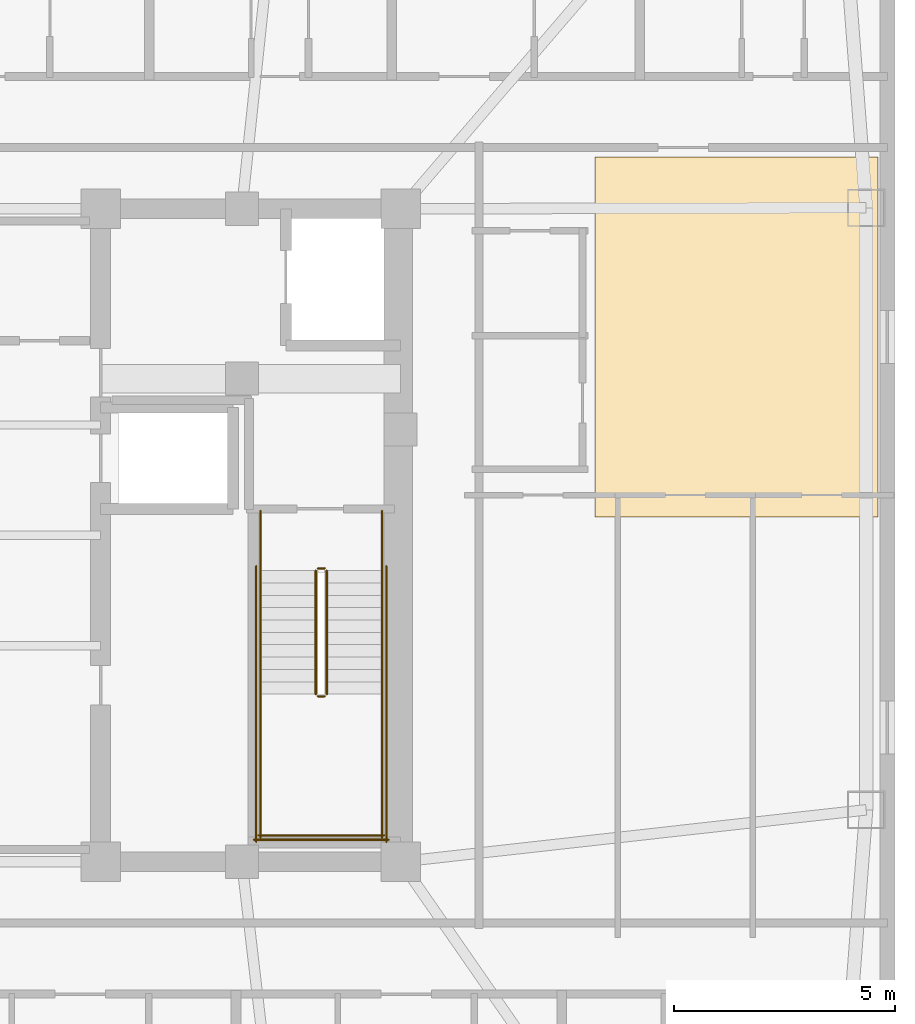
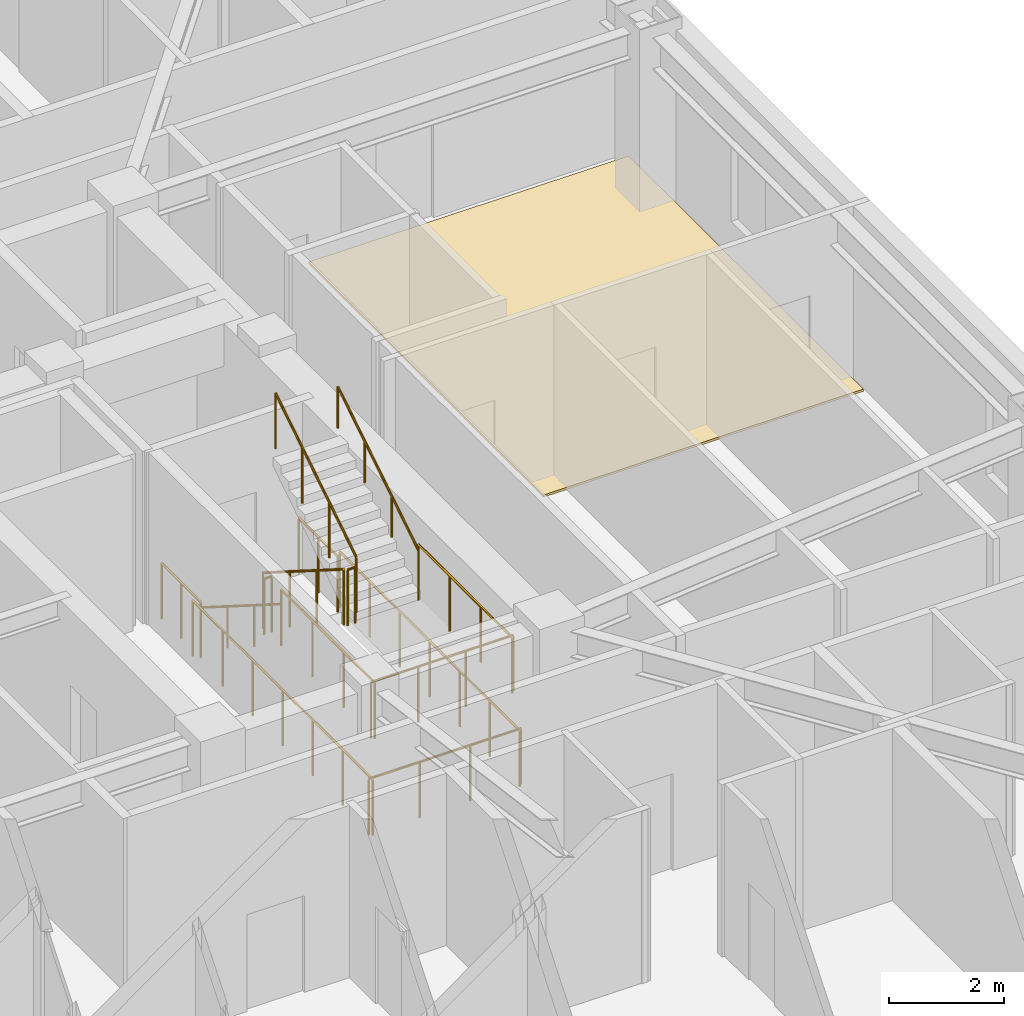
# One storey, part 16 of 16: 14 railings, 1 covering.
"""IFC4 building model written with IfcOpenShell, lengths in metres."""

import ifcopenshell
import ifcopenshell.guid

model = None  # the IFC model being written
_history = None  # IfcOwnerHistory: only IFC2X3 demands one
_inside = {}  # id of a spatial element -> (the spatial element, [elements in it])
_under = {}  # id of a project, library or spatial element -> (it, [spatial elements below it])
_declared = {}  # id of a project -> (the project, [libraries it declares])
_typed = {}  # id of a type object -> (the type object, [elements of that type])
_made_of = {}  # id of a material, layer set ... -> (it, [elements and type objects made of it])


def new_model(schema):
    """Start an empty IFC model of exactly this schema.

    Asked for "IFC4X3", IfcOpenShell would pick the latest addendum, in which some entities
    have other attributes; the version numbers below select the first issue.
    IFC2X3 requires an IfcOwnerHistory on every rooted entity: one is made here for all.
    """
    global model, _history
    if schema == "IFC4X3":
        model = ifcopenshell.file(schema_version=(4, 3, 0, 0))
    else:
        model = ifcopenshell.file(schema=schema)
    _inside.clear()
    _under.clear()
    _declared.clear()
    _typed.clear()
    _made_of.clear()
    _history = None
    if model.schema == "IFC2X3":
        org = make("IfcOrganization", Name="unknown")
        user = make(
            "IfcPersonAndOrganization",
            ThePerson=make("IfcPerson", FamilyName="unknown"),
            TheOrganization=org,
        )
        app = make(
            "IfcApplication",
            ApplicationDeveloper=org,
            Version="unknown",
            ApplicationFullName="unknown",
            ApplicationIdentifier="unknown",
        )
        _history = make(
            "IfcOwnerHistory",
            OwningUser=user,
            OwningApplication=app,
            ChangeAction="ADDED",
            CreationDate=0,
        )
    return model


def make(cls, **values):
    """One entity of the class cls with the attributes given. An attribute that is None is left unset."""
    return model.create_entity(
        cls, **{name: value for name, value in values.items() if value is not None}
    )


def rooted(cls, **values):
    """An entity with a GlobalId (a new one), such as an element, a storey or a relation."""
    return make(cls, GlobalId=ifcopenshell.guid.new(), OwnerHistory=_history, **values)


def si_unit(unit_type, name, prefix=None):
    """IfcSIUnit, for example si_unit("LENGTHUNIT", "METRE", prefix="MILLI")."""
    return make("IfcSIUnit", UnitType=unit_type, Prefix=prefix, Name=name)


def assignment(units):
    """IfcUnitAssignment: the units of a project."""
    return None if units is None else make("IfcUnitAssignment", Units=units)


def point(xyz):
    """IfcCartesianPoint."""
    return None if xyz is None else make("IfcCartesianPoint", Coordinates=xyz)


def direction(xyz):
    """IfcDirection."""
    return None if xyz is None else make("IfcDirection", DirectionRatios=xyz)


def frame(location, z_axis=None, x_axis=None):
    """IfcAxis2Placement3D, a coordinate frame: its origin and axes. An axis left out is left unset."""
    return make(
        "IfcAxis2Placement3D",
        Location=point(location),
        Axis=direction(z_axis),
        RefDirection=direction(x_axis),
    )


def frame_2d(location, x_axis=None):
    """IfcAxis2Placement2D, a coordinate frame in the plane: its origin and x axis."""
    return make(
        "IfcAxis2Placement2D", Location=point(location), RefDirection=direction(x_axis)
    )


def origin():
    """The frame at (0, 0, 0) with its axes left unset."""
    return frame((0.0, 0.0, 0.0))


def origin_2d():
    """The frame at (0, 0) in the plane with its x axis left unset."""
    return frame_2d((0.0, 0.0))


def place(relative_to, where):
    """IfcLocalPlacement: puts the frame where relative to a parent placement (None: the world)."""
    return make(
        "IfcLocalPlacement", PlacementRelTo=relative_to, RelativePlacement=where
    )


def context(
    kind, dimensions, precision=None, world=None, true_north=None, identifier=None
):
    """IfcGeometricRepresentationContext, for example the 3D "Model" context."""
    return make(
        "IfcGeometricRepresentationContext",
        ContextIdentifier=identifier,
        ContextType=kind,
        CoordinateSpaceDimension=dimensions,
        Precision=precision,
        WorldCoordinateSystem=world,
        TrueNorth=true_north,
    )


def subcontext(parent, identifier, kind, view, scale=None):
    """IfcGeometricRepresentationSubContext, for example "Body" below "Model"."""
    return make(
        "IfcGeometricRepresentationSubContext",
        ContextIdentifier=identifier,
        ContextType=kind,
        ParentContext=parent,
        TargetScale=scale,
        TargetView=view,
    )


def project(units=None, contexts=None):
    """IfcProject with its units and contexts."""
    return rooted(
        "IfcProject",
        Name="project",
        RepresentationContexts=contexts,
        UnitsInContext=assignment(units),
    )


def spatial(cls, under=None, at=None, **own):
    """A site, building, storey or space (cls), placed at a placement, below another one or the project."""
    s = rooted(cls, ObjectPlacement=at, **own)
    if under is not None:
        _under.setdefault(under.id(), (under, []))[1].append(s)
    return s


def polyline(points):
    """IfcPolyline through the points."""
    return make("IfcPolyline", Points=[point(p) for p in points])


def profile(cls, at=None, kind="AREA", **sizes):
    """A parametric profile (cls). Its sizes go by their IFC names, for example OverallWidth=200.0."""
    return make(cls, ProfileType=kind, Position=at, **sizes)


def circle(**sizes):
    """IfcCircleProfileDef."""
    return profile("IfcCircleProfileDef", **sizes)


def outline(outer, holes=None, kind="AREA"):
    """IfcArbitraryClosedProfileDef: a profile drawn as a closed curve; with holes, ...WithVoids."""
    if holes is None:
        return make("IfcArbitraryClosedProfileDef", ProfileType=kind, OuterCurve=outer)
    return make(
        "IfcArbitraryProfileDefWithVoids",
        ProfileType=kind,
        OuterCurve=outer,
        InnerCurves=holes,
    )


def extrude(swept, where, along, depth):
    """IfcExtrudedAreaSolid: the profile swept, set in the frame where, extruded along a direction by depth."""
    return make(
        "IfcExtrudedAreaSolid",
        SweptArea=swept,
        Position=where,
        ExtrudedDirection=direction(along),
        Depth=depth,
    )


def shape(context_of_items, identifier, shape_type, items):
    """IfcShapeRepresentation: the items that make up one representation, for example the "Body"."""
    return make(
        "IfcShapeRepresentation",
        ContextOfItems=context_of_items,
        RepresentationIdentifier=identifier,
        RepresentationType=shape_type,
        Items=items,
    )


def material(Name=None, Category=None):
    """IfcMaterial."""
    return make("IfcMaterial", Name=Name, Category=Category)


def layer(
    of_material, thickness, ventilated=None, Name=None, Category=None, Priority=None
):
    """IfcMaterialLayer: one layer of a wall or slab, of a material (None: an air gap)."""
    return make(
        "IfcMaterialLayer",
        Material=of_material,
        LayerThickness=thickness,
        IsVentilated=ventilated,
        Name=Name,
        Category=Category,
        Priority=Priority,
    )


def layer_set(layers, Name=None):
    """IfcMaterialLayerSet."""
    return make("IfcMaterialLayerSet", MaterialLayers=layers, LayerSetName=Name)


def made_of(thing, what):
    """Note that an element or type object is made of a material, layer set ...; save() writes the relation."""
    if what is not None:
        _made_of.setdefault(what.id(), (what, []))[1].append(thing)
    return thing


def type_object(cls, material=None, **own):
    """A type object (cls), such as IfcWallType, which elements share."""
    return made_of(rooted(cls, **own), material)


def element(
    cls,
    number,
    at=None,
    inside=None,
    cuts=None,
    type_object=None,
    material=None,
    context=None,
    identifier="Body",
    shape_type=None,
    held_by="IfcProductDefinitionShape",
    body=None,
    shapes=None,
    **own,
):
    """One element of the class cls, such as IfcWall. Its Tag is "e" and its number.

    at: its placement. inside: the storey or other place that contains it. cuts: it is an
    opening in that element (IfcRelVoidsElement). A single representation is given by context,
    identifier, shape_type and body (its items); several are given by shapes. held_by: the class
    of the entity that holds the representations. save() writes the other relations.
    """
    e = rooted(cls, Tag="e%d" % number, ObjectPlacement=at, **own)
    if body is not None:
        shapes = [shape(context, identifier, shape_type, body)]
    if shapes is not None:
        e.Representation = make(held_by, Representations=shapes)
    if inside is not None:
        _inside.setdefault(inside.id(), (inside, []))[1].append(e)
    if cuts is not None:
        rooted(
            "IfcRelVoidsElement", RelatingBuildingElement=cuts, RelatedOpeningElement=e
        )
    if type_object is not None:
        _typed.setdefault(type_object.id(), (type_object, []))[1].append(e)
    return made_of(e, material)


def aggregate(whole, parts):
    """IfcRelAggregates: a whole, such as a stair, and the parts it consists of."""
    return rooted("IfcRelAggregates", RelatingObject=whole, RelatedObjects=parts)


def save(model, path):
    """Write the relations noted so far, then the file.

    IfcRelAggregates (storeys below a building ...), IfcRelContainedInSpatialStructure (elements
    in a storey), IfcRelDefinesByType, IfcRelAssociatesMaterial and IfcRelDeclares: one each for
    every whole, place, type object, material and project.
    """
    for whole, parts in _under.values():
        aggregate(whole, parts)
    for where, things in _inside.values():
        rooted(
            "IfcRelContainedInSpatialStructure",
            RelatedElements=things,
            RelatingStructure=where,
        )
    for kind, things in _typed.values():
        rooted("IfcRelDefinesByType", RelatedObjects=things, RelatingType=kind)
    for what, things in _made_of.values():
        rooted("IfcRelAssociatesMaterial", RelatedObjects=things, RelatingMaterial=what)
    for by, libraries in _declared.values():
        rooted("IfcRelDeclares", RelatingContext=by, RelatedDefinitions=libraries)
    model.write(path)


model = new_model("IFC4")

# Units and contexts
model_context = context("Model", 3, precision=1e-05, world=origin(), true_north=direction((0.0, 1.0)))
body_context = subcontext(model_context, "Body", "Model", "MODEL_VIEW")
ifc_project = project(units=[si_unit("LENGTHUNIT", "METRE"), si_unit("AREAUNIT", "SQUARE_METRE"), si_unit("VOLUMEUNIT", "CUBIC_METRE"), si_unit("PLANEANGLEUNIT", "RADIAN"), si_unit("MASSUNIT", "GRAM", prefix="KILO")], contexts=[model_context])

# Site, building, storey
site_placement = place(None, origin())
site = spatial("IfcSite", under=ifc_project, at=site_placement, CompositionType="ELEMENT")
building_placement = place(site_placement, origin())
building = spatial("IfcBuilding", under=site, at=building_placement, Name="Voryun Gate Residences", CompositionType="ELEMENT")
storey_placement = place(building_placement, frame((0.0, 0.0, 208.0)))
storey = spatial("IfcBuildingStorey", under=building, at=storey_placement, Name="L51", CompositionType="ELEMENT", Elevation=208.0)

# Covering
ifc_material_1 = material(Name="Architectural oak flooring")
ifc_layer = layer(ifc_material_1, 0.044921875, Name="COV_FLOOR_ONDOL_OAK")
ifc_layer_set = layer_set([ifc_layer], Name="Architectural oak flooring")
covering_type = type_object("IfcCoveringType", Name="COV_FLOOR_ONDOL_OAK", PredefinedType="FLOORING", material=ifc_layer_set)
covering_placement = place(storey_placement, origin())
element("IfcCovering", 1, at=covering_placement, inside=storey, type_object=covering_type, Name="Ondol oak floor FLR-L51-01", PredefinedType="FLOORING", context=body_context, shape_type="SweptSolid", body=[
    extrude(outline(polyline([(23.60009765625, 0.419921875), (23.60009765625, 8.570068359375), (30.016845703125, 8.570068359375), (30.016845703125, 0.419921875), (23.60009765625, 0.419921875)])), origin(), (0.0, 0.0, 1.0), 0.044921875),
])

# Railings
ifc_material_2 = material(Name="Painted steel", Category="steel")
railing_type_1 = type_object("IfcRailingType", Name="RAIL_STAIR_GUARD_1200", PredefinedType="GUARDRAIL", material=ifc_material_2)
railing_1_placement = place(storey_placement, frame((17.27490234375, -0.800048828125, 0.17724609375)))
element("IfcRailing", 2, at=railing_1_placement, inside=storey, type_object=railing_type_1, Name="L51 ST-E1 stair guard 1", PredefinedType="GUARDRAIL", context=body_context, shape_type="SweptSolid", body=[
    extrude(circle(Radius=0.02392578125, at=origin_2d()), frame((0.0, 0.0, 1.17578125), z_axis=(0.0, -0.844908973607, 0.534910110503), x_axis=(1.0, 0.0, 0.0)), (0.0, 0.0, 1.0), 3.31396484375),
    extrude(circle(Radius=0.02099609375, at=origin_2d()), origin(), (0.0, 0.0, 1.0), 1.15185546875),
    extrude(circle(Radius=0.02099609375, at=origin_2d()), frame((0.0, -0.933349609375, 0.5908203125)), (0.0, 0.0, 1.0), 1.15185546875),
    extrude(circle(Radius=0.02099609375, at=origin_2d()), frame((0.0, -1.86669921875, 1.181884765625)), (0.0, 0.0, 1.0), 1.15185546875),
    extrude(circle(Radius=0.02099609375, at=origin_2d()), frame((0.0, -2.800048828125, 1.772705078125)), (0.0, 0.0, 1.0), 1.15185546875),
])
railing_2_placement = place(storey_placement, frame((17.324951171875, -3.64990234375, 1.949951171875)))
element("IfcRailing", 3, at=railing_2_placement, inside=storey, type_object=railing_type_1, Name="L51 ST-E1 stair guard 2", PredefinedType="GUARDRAIL", context=body_context, shape_type="SweptSolid", body=[
    extrude(circle(Radius=0.02392578125, at=origin_2d()), frame((0.0, 0.0, 1.17578125), z_axis=(1.0, 0.0, 0.0), x_axis=(0.0, 1.0, 0.0)), (0.0, 0.0, 1.0), 0.150146484375),
    extrude(circle(Radius=0.02099609375, at=origin_2d()), origin(), (0.0, 0.0, 1.0), 1.15185546875),
    extrude(circle(Radius=0.02099609375, at=origin_2d()), frame((0.150146484375, 0.0, 0.0)), (0.0, 0.0, 1.0), 1.15185546875),
])
for number, where, name in (
    (4, (16.02490234375, -3.60009765625, 1.949951171875), "L51 ST-E1 stair guard 3"),
    (5, (18.77490234375, -3.60009765625, 1.949951171875), "L51 ST-E1 stair guard 4"),
):
    element("IfcRailing", number, at=place(storey_placement, frame(where)), inside=storey, type_object=railing_type_1, Name=name, PredefinedType="GUARDRAIL", context=body_context, shape_type="SweptSolid", body=[
        extrude(circle(Radius=0.02392578125, at=origin_2d()), frame((0.0, 0.0, 1.17578125), z_axis=(0.0, -1.0, 0.0), x_axis=(1.0, 0.0, 0.0)), (0.0, 0.0, 1.0), 3.25),
        extrude(circle(Radius=0.02099609375, at=origin_2d()), origin(), (0.0, 0.0, 1.0), 1.15185546875),
        extrude(circle(Radius=0.02099609375, at=origin_2d()), frame((0.0, -1.083251953125, 0.0)), (0.0, 0.0, 1.0), 1.15185546875),
        extrude(circle(Radius=0.02099609375, at=origin_2d()), frame((0.0, -2.166748046875, 0.0)), (0.0, 0.0, 1.0), 1.15185546875),
        extrude(circle(Radius=0.02099609375, at=origin_2d()), frame((0.0, -3.25, 0.0)), (0.0, 0.0, 1.0), 1.15185546875),
    ])
railing_3_placement = place(storey_placement, frame((15.97509765625, -6.800048828125, 1.949951171875)))
element("IfcRailing", 6, at=railing_3_placement, inside=storey, type_object=railing_type_1, Name="L51 ST-E1 stair guard 5", PredefinedType="GUARDRAIL", context=body_context, shape_type="SweptSolid", body=[
    extrude(circle(Radius=0.02392578125, at=origin_2d()), frame((0.0, 0.0, 1.17578125), z_axis=(1.0, 0.0, 0.0), x_axis=(0.0, 1.0, 0.0)), (0.0, 0.0, 1.0), 2.849853515625),
    extrude(circle(Radius=0.02099609375, at=origin_2d()), origin(), (0.0, 0.0, 1.0), 1.15185546875),
    extrude(circle(Radius=0.02099609375, at=origin_2d()), frame((0.949951171875, 0.0, 0.0)), (0.0, 0.0, 1.0), 1.15185546875),
    extrude(circle(Radius=0.02099609375, at=origin_2d()), frame((1.89990234375, 0.0, 0.0)), (0.0, 0.0, 1.0), 1.15185546875),
    extrude(circle(Radius=0.02099609375, at=origin_2d()), frame((2.849853515625, 0.0, 0.0)), (0.0, 0.0, 1.0), 1.15185546875),
])
railing_4_placement = place(storey_placement, frame((17.52490234375, -3.60009765625, 2.127197265625)))
element("IfcRailing", 7, at=railing_4_placement, inside=storey, type_object=railing_type_1, Name="L51 ST-E1 stair guard 6", PredefinedType="GUARDRAIL", context=body_context, shape_type="SweptSolid", body=[
    extrude(circle(Radius=0.02392578125, at=origin_2d()), frame((0.0, 0.0, 1.17578125), z_axis=(0.0, 0.844908973607, 0.534910110503), x_axis=(-1.0, 0.0, 0.0)), (0.0, 0.0, 1.0), 3.31396484375),
    extrude(circle(Radius=0.02099609375, at=origin_2d()), origin(), (0.0, 0.0, 1.0), 1.15185546875),
    extrude(circle(Radius=0.02099609375, at=origin_2d()), frame((0.0, 0.933349609375, 0.5908203125)), (0.0, 0.0, 1.0), 1.15185546875),
    extrude(circle(Radius=0.02099609375, at=origin_2d()), frame((0.0, 1.86669921875, 1.181884765625)), (0.0, 0.0, 1.0), 1.15185546875),
    extrude(circle(Radius=0.02099609375, at=origin_2d()), frame((0.0, 2.800048828125, 1.772705078125)), (0.0, 0.0, 1.0), 1.15185546875),
])
railing_5_placement = place(storey_placement, frame((17.324951171875, -0.75, 0.0)))
element("IfcRailing", 8, at=railing_5_placement, inside=storey, type_object=railing_type_1, Name="L51 ST-E1 stair guard 7", PredefinedType="GUARDRAIL", context=body_context, shape_type="SweptSolid", body=[
    extrude(circle(Radius=0.02392578125, at=origin_2d()), frame((0.0, 0.0, 1.17578125), z_axis=(1.0, 0.0, 0.0), x_axis=(0.0, 1.0, 0.0)), (0.0, 0.0, 1.0), 0.150146484375),
    extrude(circle(Radius=0.02099609375, at=origin_2d()), origin(), (0.0, 0.0, 1.0), 1.15185546875),
    extrude(circle(Radius=0.02099609375, at=origin_2d()), frame((0.150146484375, 0.0, 0.0)), (0.0, 0.0, 1.0), 1.15185546875),
])
for number, where, name in (
    (9, (16.02490234375, 0.550048828125, 0.0), "L51 ST-E1 stair guard 8"),
    (10, (18.77490234375, 0.550048828125, 0.0), "L51 ST-E1 stair guard 9"),
):
    element("IfcRailing", number, at=place(storey_placement, frame(where)), inside=storey, type_object=railing_type_1, Name=name, PredefinedType="GUARDRAIL", context=body_context, shape_type="SweptSolid", body=[
        extrude(circle(Radius=0.02392578125, at=origin_2d()), frame((0.0, 0.0, 1.17578125), z_axis=(0.0, -1.0, 0.0), x_axis=(1.0, 0.0, 0.0)), (0.0, 0.0, 1.0), 1.35009765625),
        extrude(circle(Radius=0.02099609375, at=origin_2d()), origin(), (0.0, 0.0, 1.0), 1.15185546875),
        extrude(circle(Radius=0.02099609375, at=origin_2d()), frame((0.0, -0.675048828125, 0.0)), (0.0, 0.0, 1.0), 1.15185546875),
        extrude(circle(Radius=0.02099609375, at=origin_2d()), frame((0.0, -1.35009765625, 0.0)), (0.0, 0.0, 1.0), 1.15185546875),
    ])
for number, where, name in (
    (11, (15.925048828125, -0.699951171875, 0.0), "L51 ST-E1 stair guard 10"),
    (12, (18.875, -0.699951171875, 0.0), "L51 ST-E1 stair guard 11"),
):
    element("IfcRailing", number, at=place(storey_placement, frame(where)), inside=storey, type_object=railing_type_1, Name=name, PredefinedType="GUARDRAIL", context=body_context, shape_type="SweptSolid", body=[
        extrude(circle(Radius=0.02392578125, at=origin_2d()), frame((0.0, 0.0, 1.17578125), z_axis=(0.0, -1.0, 0.0), x_axis=(1.0, 0.0, 0.0)), (0.0, 0.0, 1.0), 6.25),
        extrude(circle(Radius=0.02099609375, at=origin_2d()), origin(), (0.0, 0.0, 1.0), 1.15185546875),
        extrude(circle(Radius=0.02099609375, at=origin_2d()), frame((0.0, -1.041748046875, 0.0)), (0.0, 0.0, 1.0), 1.15185546875),
        extrude(circle(Radius=0.02099609375, at=origin_2d()), frame((0.0, -2.083251953125, 0.0)), (0.0, 0.0, 1.0), 1.15185546875),
        extrude(circle(Radius=0.02099609375, at=origin_2d()), frame((0.0, -3.125, 0.0)), (0.0, 0.0, 1.0), 1.15185546875),
        extrude(circle(Radius=0.02099609375, at=origin_2d()), frame((0.0, -4.166748046875, 0.0)), (0.0, 0.0, 1.0), 1.15185546875),
        extrude(circle(Radius=0.02099609375, at=origin_2d()), frame((0.0, -5.208251953125, 0.0)), (0.0, 0.0, 1.0), 1.15185546875),
        extrude(circle(Radius=0.02099609375, at=origin_2d()), frame((0.0, -6.25, 0.0)), (0.0, 0.0, 1.0), 1.15185546875),
    ])
railing_6_placement = place(storey_placement, frame((15.875, -6.89990234375, 0.0)))
element("IfcRailing", 13, at=railing_6_placement, inside=storey, type_object=railing_type_1, Name="L51 ST-E1 stair guard 12", PredefinedType="GUARDRAIL", context=body_context, shape_type="SweptSolid", body=[
    extrude(circle(Radius=0.02392578125, at=origin_2d()), frame((0.0, 0.0, 1.17578125), z_axis=(1.0, 0.0, 0.0), x_axis=(0.0, 1.0, 0.0)), (0.0, 0.0, 1.0), 3.050048828125),
    extrude(circle(Radius=0.02099609375, at=origin_2d()), origin(), (0.0, 0.0, 1.0), 1.15185546875),
    extrude(circle(Radius=0.02099609375, at=origin_2d()), frame((1.0166015625, 0.0, 0.0)), (0.0, 0.0, 1.0), 1.15185546875),
    extrude(circle(Radius=0.02099609375, at=origin_2d()), frame((2.033447265625, 0.0, 0.0)), (0.0, 0.0, 1.0), 1.15185546875),
    extrude(circle(Radius=0.02099609375, at=origin_2d()), frame((3.050048828125, 0.0, 0.0)), (0.0, 0.0, 1.0), 1.15185546875),
])
ifc_material_3 = material(Name="Painted steel", Category="steel")
railing_type_2 = type_object("IfcRailingType", Name="RAIL_STAIR_HANDRAIL_900", PredefinedType="HANDRAIL", material=ifc_material_3)
railing_7_placement = place(storey_placement, frame((16.02490234375, -0.800048828125, 0.17724609375)))
element("IfcRailing", 14, at=railing_7_placement, inside=storey, type_object=railing_type_2, Name="L51 ST-E1 stair handrail 1", PredefinedType="HANDRAIL", context=body_context, shape_type="SweptSolid", body=[
    extrude(circle(Radius=0.02392578125, at=origin_2d()), frame((0.0, 0.0, 0.8759765625), z_axis=(0.0, -0.844908973607, 0.534910110503), x_axis=(1.0, 0.0, 0.0)), (0.0, 0.0, 1.0), 3.31396484375),
    extrude(circle(Radius=0.02099609375, at=origin_2d()), origin(), (0.0, 0.0, 1.0), 0.851806640625),
    extrude(circle(Radius=0.02099609375, at=origin_2d()), frame((0.0, -0.933349609375, 0.5908203125)), (0.0, 0.0, 1.0), 0.851806640625),
    extrude(circle(Radius=0.02099609375, at=origin_2d()), frame((0.0, -1.86669921875, 1.181884765625)), (0.0, 0.0, 1.0), 0.851806640625),
    extrude(circle(Radius=0.02099609375, at=origin_2d()), frame((0.0, -2.800048828125, 1.772705078125)), (0.0, 0.0, 1.0), 0.851806640625),
])
railing_8_placement = place(storey_placement, frame((18.77490234375, -3.60009765625, 2.127197265625)))
element("IfcRailing", 15, at=railing_8_placement, inside=storey, type_object=railing_type_2, Name="L51 ST-E1 stair handrail 2", PredefinedType="HANDRAIL", context=body_context, shape_type="SweptSolid", body=[
    extrude(circle(Radius=0.02392578125, at=origin_2d()), frame((0.0, 0.0, 0.8759765625), z_axis=(0.0, 0.844908973607, 0.534910110503), x_axis=(-1.0, 0.0, 0.0)), (0.0, 0.0, 1.0), 3.31396484375),
    extrude(circle(Radius=0.02099609375, at=origin_2d()), origin(), (0.0, 0.0, 1.0), 0.851806640625),
    extrude(circle(Radius=0.02099609375, at=origin_2d()), frame((0.0, 0.933349609375, 0.5908203125)), (0.0, 0.0, 1.0), 0.851806640625),
    extrude(circle(Radius=0.02099609375, at=origin_2d()), frame((0.0, 1.86669921875, 1.181884765625)), (0.0, 0.0, 1.0), 0.851806640625),
    extrude(circle(Radius=0.02099609375, at=origin_2d()), frame((0.0, 2.800048828125, 1.772705078125)), (0.0, 0.0, 1.0), 0.851806640625),
])

save(model, "model.ifc")
